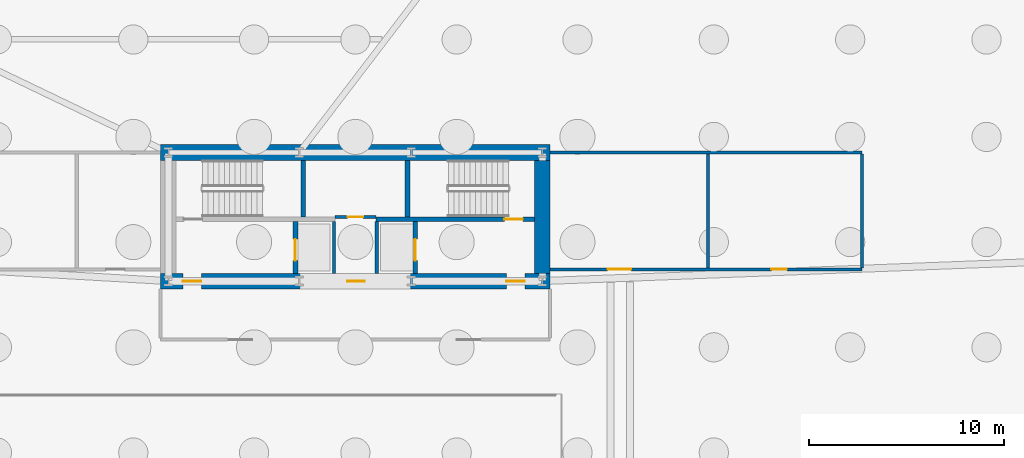
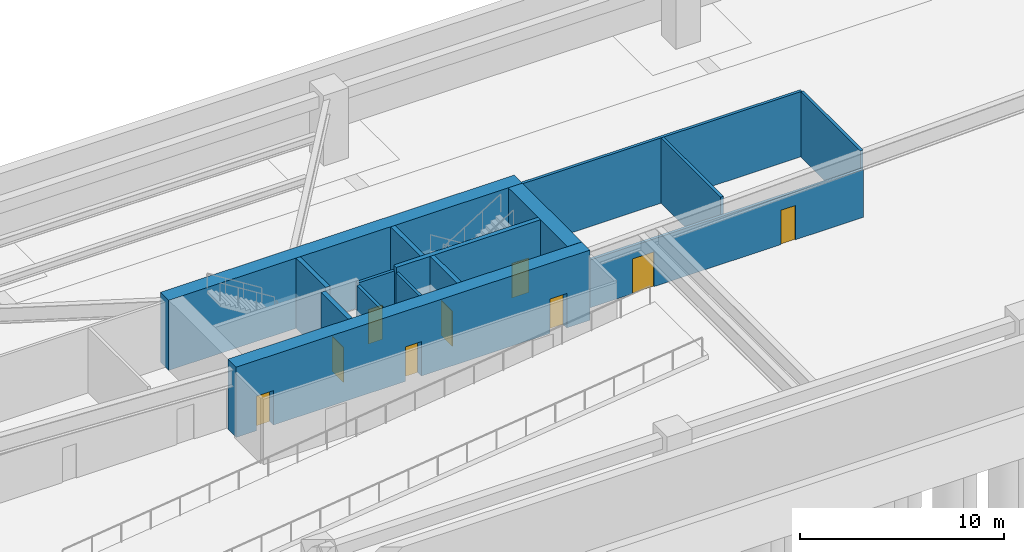
# One storey, part 5 of 8: 15 walls, 9 doors, 9 openings.
"""IFC4 building model written with IfcOpenShell, lengths in metres."""

from ifc_helpers import new_model, si_unit, direction, frame, frame_2d, origin, place, context, subcontext, project, spatial, rectangle, extrude, source, transform, mapped, material, layer, layer_set, type_object, type_shapes, element, fill, save


model = new_model("IFC4")

# Units and contexts
model_context = context("Model", 3, precision=1e-05, world=origin(), true_north=direction((0.0, 1.0)))
body_context = subcontext(model_context, "Body", "Model", "MODEL_VIEW")
ifc_project = project(units=[si_unit("LENGTHUNIT", "METRE"), si_unit("AREAUNIT", "SQUARE_METRE"), si_unit("VOLUMEUNIT", "CUBIC_METRE"), si_unit("PLANEANGLEUNIT", "RADIAN"), si_unit("MASSUNIT", "GRAM", prefix="KILO")], contexts=[model_context])

# Site, building, storey
site_placement = place(None, origin())
site = spatial("IfcSite", under=ifc_project, at=site_placement, CompositionType="ELEMENT")
building_placement = place(site_placement, origin())
building = spatial("IfcBuilding", under=site, at=building_placement, Name="Astriad Promenade Condominiums", CompositionType="ELEMENT")
storey_placement = place(building_placement, frame((0.0, 0.0, -8.39990234375)))
storey = spatial("IfcBuildingStorey", under=building, at=storey_placement, Name="B02", CompositionType="ELEMENT", Elevation=-8.39990234375)

# Wall, openings, doors
ifc_material_1 = material(Name="Concrete C80/95", Category="concrete")
ifc_layer_1 = layer(ifc_material_1, 0.800048828125)
ifc_layer_set_1 = layer_set([ifc_layer_1], Name="Concrete C80/95")
wall_type_1 = type_object("IfcWallType", Name="CW-SHEAR-800", PredefinedType="SHEAR", material=ifc_layer_set_1)
wall_1_placement = place(storey_placement, frame((26.0, 17.39990234375, 0.0), z_axis=(0.0, 0.0, 1.0), x_axis=(1.0, 0.0, 0.0)))
wall_1 = element("IfcWall", 1, at=wall_1_placement, inside=storey, type_object=wall_type_1, Name="CW-CORE-S-B02", PredefinedType="SHEAR", context=body_context, shape_type="SweptSolid", body=[
    extrude(rectangle(XDim=20.0, YDim=0.800048828125, at=frame_2d((10.0, 0.0))), origin(), (0.0, 0.0, 1.0), 4.199951171875),
])
opening_1_placement = place(wall_1_placement, frame((1.14990234375, 0.0, 0.0)))
opening_1 = element("IfcOpeningElement", 2, at=opening_1_placement, cuts=wall_1, Name="Opening FD90-ST-095", PredefinedType="OPENING", context=body_context, shape_type="SweptSolid", body=[
    extrude(rectangle(XDim=0.949951171875, YDim=2.06005859375, at=frame_2d((0.47509765625, 1.030029296875))), frame((0.0, 0.409912109375, 0.0), z_axis=(0.0, -1.0, 0.0), x_axis=(1.0, 0.0, 0.0)), (0.0, 0.0, 1.0), 0.820068359375),
])
opening_2_placement = place(wall_1_placement, frame((9.580078125, 0.0, 0.0)))
opening_2 = element("IfcOpeningElement", 3, at=opening_2_placement, cuts=wall_1, Name="Opening FD60-CSL-090", PredefinedType="OPENING", context=body_context, shape_type="SweptSolid", body=[
    extrude(rectangle(XDim=0.89990234375, YDim=2.06005859375, at=frame_2d((0.449951171875, 1.030029296875))), frame((0.0, 0.409912109375, 0.0), z_axis=(0.0, -1.0, 0.0), x_axis=(1.0, 0.0, 0.0)), (0.0, 0.0, 1.0), 0.820068359375),
])
opening_3_placement = place(wall_1_placement, frame((17.75, 0.0, 0.0)))
opening_3 = element("IfcOpeningElement", 4, at=opening_3_placement, cuts=wall_1, Name="Opening FD90-ST-095", PredefinedType="OPENING", context=body_context, shape_type="SweptSolid", body=[
    extrude(rectangle(XDim=0.949951171875, YDim=2.06005859375, at=frame_2d((0.47509765625, 1.030029296875))), frame((0.0, 0.409912109375, 0.0), z_axis=(0.0, -1.0, 0.0), x_axis=(1.0, 0.0, 0.0)), (0.0, 0.0, 1.0), 0.820068359375),
])
ifc_material_2 = material(Name="Fire-Rated Hollow Metal Stair Door")
door_type_1 = type_object("IfcDoorType", Name="FD90-ST-095", OperationType="NOTDEFINED", PredefinedType="DOOR", material=ifc_material_2)
shared_shape_1 = source(origin(), body_context, "Body", "SweptSolid", [
    extrude(rectangle(XDim=0.949951171875, YDim=2.06005859375, at=frame_2d((0.47509765625, 1.030029296875))), frame((0.0, 0.02490234375, 0.0), z_axis=(0.0, -1.0, 0.0), x_axis=(1.0, 0.0, 0.0)), (0.0, 0.0, 1.0), 0.050048828125),
])
type_shapes(door_type_1, [shared_shape_1])
door_1_placement = place(opening_1_placement, origin())
door_1 = element("IfcDoor", 5, at=door_1_placement, inside=storey, type_object=door_type_1, Name="D-FFW-B02", OperationType="SINGLE_SWING_LEFT", OverallHeight=2.06005859375, OverallWidth=0.949951171875, PredefinedType="DOOR", context=body_context, shape_type="MappedRepresentation", body=[
    mapped(shared_shape_1, transform((0.0, 0.0, 0.0), scale=1.0)),
])
fill(opening_1, door_1)
door_2_placement = place(opening_3_placement, origin())
door_2 = element("IfcDoor", 6, at=door_2_placement, inside=storey, type_object=door_type_1, Name="D-FFE-B02", OperationType="SINGLE_SWING_RIGHT", OverallHeight=2.06005859375, OverallWidth=0.949951171875, PredefinedType="DOOR", context=body_context, shape_type="MappedRepresentation", body=[
    mapped(shared_shape_1, transform((0.0, 0.0, 0.0), scale=1.0)),
])
fill(opening_3, door_2)
ifc_material_3 = material(Name="Fire-Rated Service Lobby Door")
door_type_2 = type_object("IfcDoorType", Name="FD60-CSL-090", OperationType="NOTDEFINED", PredefinedType="DOOR", material=ifc_material_3)
shared_shape_2 = source(origin(), body_context, "Body", "SweptSolid", [
    extrude(rectangle(XDim=0.89990234375, YDim=2.06005859375, at=frame_2d((0.449951171875, 1.030029296875))), frame((0.0, 0.02490234375, 0.0), z_axis=(0.0, -1.0, 0.0), x_axis=(1.0, 0.0, 0.0)), (0.0, 0.0, 1.0), 0.050048828125),
])
type_shapes(door_type_2, [shared_shape_2])
door_3_placement = place(opening_2_placement, origin())
door_3 = element("IfcDoor", 7, at=door_3_placement, inside=storey, type_object=door_type_2, Name="D-CSL-B02", OperationType="SINGLE_SWING_RIGHT", OverallHeight=2.06005859375, OverallWidth=0.89990234375, PredefinedType="DOOR", context=body_context, shape_type="MappedRepresentation", body=[
    mapped(shared_shape_2, transform((0.0, 0.0, 0.0), scale=1.0)),
])
fill(opening_2, door_3)

# Walls
wall_2_placement = place(storey_placement, frame((26.0, 24.0, 0.0), z_axis=(0.0, 0.0, 1.0), x_axis=(1.0, 0.0, 0.0)))
element("IfcWall", 8, at=wall_2_placement, inside=storey, type_object=wall_type_1, Name="CW-CORE-N-B02", PredefinedType="SHEAR", context=body_context, shape_type="SweptSolid", body=[
    extrude(rectangle(XDim=20.0, YDim=0.800048828125, at=frame_2d((10.0, 0.0))), origin(), (0.0, 0.0, 1.0), 4.199951171875),
])
wall_3_placement = place(storey_placement, frame((45.60009765625, 17.802001953125, 0.0), z_axis=(0.0, 0.0, 1.0), x_axis=(0.0, 1.0, 0.0)))
element("IfcWall", 9, at=wall_3_placement, inside=storey, type_object=wall_type_1, Name="CW-CORE-E-B02", PredefinedType="SHEAR", context=body_context, shape_type="SweptSolid", body=[
    extrude(rectangle(XDim=5.7958984375, YDim=0.800048828125, at=frame_2d((2.89794921875, 0.0))), origin(), (0.0, 0.0, 1.0), 4.199951171875),
])

# Wall, opening, door
ifc_material_4 = material(Name="Concrete C50/60", Category="concrete")
ifc_layer_2 = layer(ifc_material_4, 0.25)
ifc_layer_set_2 = layer_set([ifc_layer_2], Name="Concrete C50/60")
wall_type_2 = type_object("IfcWallType", Name="WALL-CORE-INT-250", PredefinedType="SOLIDWALL", material=ifc_layer_set_2)
wall_4_placement = place(storey_placement, frame((37.050048828125, 20.574951171875, 0.0), z_axis=(0.0, 0.0, 1.0), x_axis=(1.0, 0.0, 0.0)))
wall_4 = element("IfcWall", 10, at=wall_4_placement, inside=storey, type_object=wall_type_2, Name="CW-INT-H2-B02", PredefinedType="SOLIDWALL", context=body_context, shape_type="SweptSolid", body=[
    extrude(rectangle(XDim=8.14794921875, YDim=0.25, at=frame_2d((4.073974609375, 0.0))), origin(), (0.0, 0.0, 1.0), 4.199951171875),
])
opening_4_placement = place(wall_4_placement, frame((6.60009765625, 0.0, 0.0)))
opening_4 = element("IfcOpeningElement", 11, at=opening_4_placement, cuts=wall_4, Name="Opening FD90-ST-095", PredefinedType="OPENING", context=body_context, shape_type="SweptSolid", body=[
    extrude(rectangle(XDim=0.949951171875, YDim=2.06005859375, at=frame_2d((0.47509765625, 1.030029296875))), frame((0.0, 0.135009765625, 0.0), z_axis=(0.0, -1.0, 0.0), x_axis=(1.0, 0.0, 0.0)), (0.0, 0.0, 1.0), 0.27001953125),
])
door_4_placement = place(opening_4_placement, origin())
door_4 = element("IfcDoor", 12, at=door_4_placement, inside=storey, type_object=door_type_1, Name="D-ST2-B02", OperationType="SINGLE_SWING_RIGHT", OverallHeight=2.06005859375, OverallWidth=0.949951171875, PredefinedType="DOOR", context=body_context, shape_type="MappedRepresentation", body=[
    mapped(shared_shape_1, transform((0.0, 0.0, 0.0), scale=1.0)),
])
fill(opening_4, door_4)

# Walls
for number, where, z_axis, x_axis, name in (
    (13, (33.324951171875, 20.701904296875, 0.0), (0.0, 0.0, 1.0), (0.0, 1.0, 0.0), "CW-ST1-E-B02"),
    (14, (38.675048828125, 20.701904296875, 0.0), (0.0, 0.0, 1.0), (0.0, 1.0, 0.0), "CW-ST2-W-B02"),
):
    element("IfcWall", number, at=place(storey_placement, frame(where, z_axis=z_axis, x_axis=x_axis)), inside=storey, type_object=wall_type_2, Name=name, PredefinedType="SOLIDWALL", context=body_context, shape_type="SweptSolid", body=[
        extrude(rectangle(XDim=2.89599609375, YDim=0.25, at=frame_2d((1.447998046875, 0.0))), origin(), (0.0, 0.0, 1.0), 4.199951171875),
    ])

# Wall, opening, door
wall_5_placement = place(storey_placement, frame((32.925048828125, 17.802001953125, 0.0), z_axis=(0.0, 0.0, 1.0), x_axis=(0.0, 1.0, 0.0)))
wall_5 = element("IfcWall", 15, at=wall_5_placement, inside=storey, type_object=wall_type_2, Name="CW-FFL1-W-B02", PredefinedType="SOLIDWALL", context=body_context, shape_type="SweptSolid", body=[
    extrude(rectangle(XDim=2.64599609375, YDim=0.25, at=frame_2d((1.322998046875, 0.0))), origin(), (0.0, 0.0, 1.0), 4.199951171875),
])
opening_5_placement = place(wall_5_placement, frame((0.64794921875, 0.0, 0.0)))
opening_5 = element("IfcOpeningElement", 16, at=opening_5_placement, cuts=wall_5, Name="Opening LD-FFL-1122", PredefinedType="OPENING", context=body_context, shape_type="SweptSolid", body=[
    extrude(rectangle(XDim=1.10009765625, YDim=2.080078125, at=frame_2d((0.550048828125, 1.0400390625))), frame((0.0, 0.135009765625, 0.0), z_axis=(0.0, -1.0, 0.0), x_axis=(1.0, 0.0, 0.0)), (0.0, 0.0, 1.0), 0.27001953125),
])
ifc_material_5 = material(Name="Brushed Stainless Steel Fire Elevator Landing Door", Category="steel")
door_type_3 = type_object("IfcDoorType", Name="LD-FFL-1122", OperationType="NOTDEFINED", PredefinedType="DOOR", material=ifc_material_5)
shared_shape_3 = source(origin(), body_context, "Body", "SweptSolid", [
    extrude(rectangle(XDim=1.10009765625, YDim=2.080078125, at=frame_2d((0.550048828125, 1.0400390625))), frame((0.0, 0.02490234375, 0.0), z_axis=(0.0, -1.0, 0.0), x_axis=(1.0, 0.0, 0.0)), (0.0, 0.0, 1.0), 0.050048828125),
])
type_shapes(door_type_3, [shared_shape_3])
door_5_placement = place(opening_5_placement, origin())
door_5 = element("IfcDoor", 17, at=door_5_placement, inside=storey, type_object=door_type_3, Name="Elevator Landing Door FFL-1 (B02)", OperationType="SLIDING_TO_LEFT", OverallHeight=2.080078125, OverallWidth=1.10009765625, PredefinedType="DOOR", context=body_context, shape_type="MappedRepresentation", body=[
    mapped(shared_shape_3, transform((0.0, 0.0, 0.0), scale=1.0)),
])
fill(opening_5, door_5)

wall_6_placement = place(storey_placement, frame((39.074951171875, 17.802001953125, 0.0), z_axis=(0.0, 0.0, 1.0), x_axis=(0.0, 1.0, 0.0)))
wall_6 = element("IfcWall", 18, at=wall_6_placement, inside=storey, type_object=wall_type_2, Name="CW-FFL2-E-B02", PredefinedType="SOLIDWALL", context=body_context, shape_type="SweptSolid", body=[
    extrude(rectangle(XDim=2.64599609375, YDim=0.25, at=frame_2d((1.322998046875, 0.0))), origin(), (0.0, 0.0, 1.0), 4.199951171875),
])
opening_6_placement = place(wall_6_placement, frame((0.64794921875, 0.0, 0.0)))
opening_6 = element("IfcOpeningElement", 19, at=opening_6_placement, cuts=wall_6, Name="Opening LD-FFL-1122", PredefinedType="OPENING", context=body_context, shape_type="SweptSolid", body=[
    extrude(rectangle(XDim=1.10009765625, YDim=2.080078125, at=frame_2d((0.550048828125, 1.0400390625))), frame((0.0, 0.135009765625, 0.0), z_axis=(0.0, -1.0, 0.0), x_axis=(1.0, 0.0, 0.0)), (0.0, 0.0, 1.0), 0.27001953125),
])
door_6_placement = place(opening_6_placement, origin())
door_6 = element("IfcDoor", 20, at=door_6_placement, inside=storey, type_object=door_type_3, Name="Elevator Landing Door FFL-2 (B02)", OperationType="SLIDING_TO_RIGHT", OverallHeight=2.080078125, OverallWidth=1.10009765625, PredefinedType="DOOR", context=body_context, shape_type="MappedRepresentation", body=[
    mapped(shared_shape_3, transform((0.0, 0.0, 0.0), scale=1.0)),
])
fill(opening_6, door_6)

# Walls
ifc_material_6 = material(Name="Fire-Rated Gypsum Partition")
ifc_layer_3 = layer(ifc_material_6, 0.159912109375)
ifc_layer_set_3 = layer_set([ifc_layer_3], Name="Fire-Rated Gypsum Partition")
wall_type_3 = type_object("IfcWallType", Name="WALL-CORR-160", PredefinedType="PARTITIONING", material=ifc_layer_set_3)
for number, where, z_axis, x_axis, name in (
    (21, (34.89990234375, 17.802001953125, 0.0), (0.0, 0.0, 1.0), (0.0, 1.0, 0.0), "CW-FFL1-E-B02"),
    (22, (37.10009765625, 17.802001953125, 0.0), (0.0, 0.0, 1.0), (0.0, 1.0, 0.0), "CW-FFL2-W-B02"),
):
    element("IfcWall", number, at=place(storey_placement, frame(where, z_axis=z_axis, x_axis=x_axis)), inside=storey, type_object=wall_type_3, Name=name, PredefinedType="PARTITIONING", context=body_context, shape_type="SweptSolid", body=[
        extrude(rectangle(XDim=2.64599609375, YDim=0.159912109375, at=frame_2d((1.322998046875, 0.0))), origin(), (0.0, 0.0, 1.0), 3.89990234375),
    ])

# Wall, opening, door
wall_7_placement = place(storey_placement, frame((34.949951171875, 20.68994140625, 0.0), z_axis=(0.0, 0.0, 1.0), x_axis=(1.0, 0.0, 0.0)))
wall_7 = element("IfcWall", 23, at=wall_7_placement, inside=storey, type_object=wall_type_3, Name="CW-AUX-S-B02", PredefinedType="PARTITIONING", context=body_context, shape_type="SweptSolid", body=[
    extrude(rectangle(XDim=2.10009765625, YDim=0.159912109375, at=frame_2d((1.050048828125, 0.0))), origin(), (0.0, 0.0, 1.0), 3.89990234375),
])
opening_7_placement = place(wall_7_placement, frame((0.64990234375, 0.0, 0.0)))
opening_7 = element("IfcOpeningElement", 24, at=opening_7_placement, cuts=wall_7, Name="Opening FD60-SV-080", PredefinedType="OPENING", context=body_context, shape_type="SweptSolid", body=[
    extrude(rectangle(XDim=0.800048828125, YDim=2.050048828125, at=frame_2d((0.39990234375, 1.02490234375))), frame((0.0, 0.08984375, 0.0), z_axis=(0.0, -1.0, 0.0), x_axis=(1.0, 0.0, 0.0)), (0.0, 0.0, 1.0), 0.179931640625),
])
ifc_material_7 = material(Name="Fire-Rated Riser Closet Door")
door_type_4 = type_object("IfcDoorType", Name="FD60-SV-080", OperationType="NOTDEFINED", PredefinedType="DOOR", material=ifc_material_7)
shared_shape_4 = source(origin(), body_context, "Body", "SweptSolid", [
    extrude(rectangle(XDim=0.800048828125, YDim=2.050048828125, at=frame_2d((0.39990234375, 1.02490234375))), frame((0.0, 0.02490234375, 0.0), z_axis=(0.0, -1.0, 0.0), x_axis=(1.0, 0.0, 0.0)), (0.0, 0.0, 1.0), 0.050048828125),
])
type_shapes(door_type_4, [shared_shape_4])
door_7_placement = place(opening_7_placement, origin())
door_7 = element("IfcDoor", 25, at=door_7_placement, inside=storey, type_object=door_type_4, Name="D-AUX1-B02", OperationType="SINGLE_SWING_LEFT", OverallHeight=2.050048828125, OverallWidth=0.800048828125, PredefinedType="DOOR", context=body_context, shape_type="MappedRepresentation", body=[
    mapped(shared_shape_4, transform((0.0, 0.0, 0.0), scale=1.0)),
])
fill(opening_7, door_7)

# Wall, openings, doors
wall_8_placement = place(storey_placement, frame((46.001953125, 18.0, 0.0), z_axis=(0.0, 0.0, 1.0), x_axis=(1.0, 0.0, 0.0)))
wall_8 = element("IfcWall", 26, at=wall_8_placement, inside=storey, type_object=wall_type_3, Name="PT-B02-PL-S", PredefinedType="PARTITIONING", context=body_context, shape_type="SweptSolid", body=[
    extrude(rectangle(XDim=15.998046875, YDim=0.159912109375, at=frame_2d((7.9990234375, 0.0))), origin(), (0.0, 0.0, 1.0), 2.856201171875),
])
opening_8_placement = place(wall_8_placement, frame((2.947998046875, 0.0, 0.0)))
opening_8 = element("IfcOpeningElement", 27, at=opening_8_placement, cuts=wall_8, Name="Opening FD90-PLT-1222", PredefinedType="OPENING", context=body_context, shape_type="SweptSolid", body=[
    extrude(rectangle(XDim=1.199951171875, YDim=2.080078125, at=frame_2d((0.60009765625, 1.0400390625))), frame((0.0, 0.08984375, 0.0), z_axis=(0.0, -1.0, 0.0), x_axis=(1.0, 0.0, 0.0)), (0.0, 0.0, 1.0), 0.179931640625),
])
opening_9_placement = place(wall_8_placement, frame((11.347900390625, 0.0, 0.0)))
opening_9 = element("IfcOpeningElement", 28, at=opening_9_placement, cuts=wall_8, Name="Opening FD60-SV-080", PredefinedType="OPENING", context=body_context, shape_type="SweptSolid", body=[
    extrude(rectangle(XDim=0.800048828125, YDim=2.050048828125, at=frame_2d((0.39990234375, 1.02490234375))), frame((0.0, 0.08984375, 0.0), z_axis=(0.0, -1.0, 0.0), x_axis=(1.0, 0.0, 0.0)), (0.0, 0.0, 1.0), 0.179931640625),
])
door_8_placement = place(opening_9_placement, origin())
door_8 = element("IfcDoor", 29, at=door_8_placement, inside=storey, type_object=door_type_4, Name="D-B02-PL2", OperationType="SINGLE_SWING_LEFT", OverallHeight=2.050048828125, OverallWidth=0.800048828125, PredefinedType="DOOR", context=body_context, shape_type="MappedRepresentation", body=[
    mapped(shared_shape_4, transform((0.0, 0.0, 0.0), scale=1.0)),
])
fill(opening_9, door_8)
ifc_material_8 = material(Name="Fire-Rated Double-Insulated Plant Door")
door_type_5 = type_object("IfcDoorType", Name="FD90-PLT-1222", OperationType="NOTDEFINED", PredefinedType="DOOR", material=ifc_material_8)
shared_shape_5 = source(origin(), body_context, "Body", "SweptSolid", [
    extrude(rectangle(XDim=1.199951171875, YDim=2.080078125, at=frame_2d((0.60009765625, 1.0400390625))), frame((0.0, 0.02490234375, 0.0), z_axis=(0.0, -1.0, 0.0), x_axis=(1.0, 0.0, 0.0)), (0.0, 0.0, 1.0), 0.050048828125),
])
type_shapes(door_type_5, [shared_shape_5])
door_9_placement = place(opening_8_placement, origin())
door_9 = element("IfcDoor", 30, at=door_9_placement, inside=storey, type_object=door_type_5, Name="D-B02-PL1", OperationType="SINGLE_SWING_RIGHT", OverallHeight=2.080078125, OverallWidth=1.199951171875, PredefinedType="DOOR", context=body_context, shape_type="MappedRepresentation", body=[
    mapped(shared_shape_5, transform((0.0, 0.0, 0.0), scale=1.0)),
])
fill(opening_8, door_9)

# Walls
wall_9_placement = place(storey_placement, frame((46.0, 24.0, 0.0), z_axis=(0.0, 0.0, 1.0), x_axis=(1.0, 0.0, 0.0)))
element("IfcWall", 31, at=wall_9_placement, inside=storey, type_object=wall_type_3, Name="PT-B02-PL-N", PredefinedType="PARTITIONING", context=body_context, shape_type="SweptSolid", body=[
    extrude(rectangle(XDim=16.0, YDim=0.159912109375, at=frame_2d((8.0, 0.0))), origin(), (0.0, 0.0, 1.0), 3.89990234375),
])
for number, where, z_axis, x_axis, name in (
    (32, (62.0, 18.08203125, 0.0), (0.0, 0.0, 1.0), (0.0, 1.0, 0.0), "PT-B02-PL-E"),
    (33, (54.10009765625, 18.08203125, 0.0), (0.0, 0.0, 1.0), (0.0, 1.0, 0.0), "PT-B02-PL-M"),
):
    element("IfcWall", number, at=place(storey_placement, frame(where, z_axis=z_axis, x_axis=x_axis)), inside=storey, type_object=wall_type_3, Name=name, PredefinedType="PARTITIONING", context=body_context, shape_type="SweptSolid", body=[
        extrude(rectangle(XDim=5.8359375, YDim=0.159912109375, at=frame_2d((2.91796875, 0.0))), origin(), (0.0, 0.0, 1.0), 3.89990234375),
    ])

save(model, "model.ifc")
